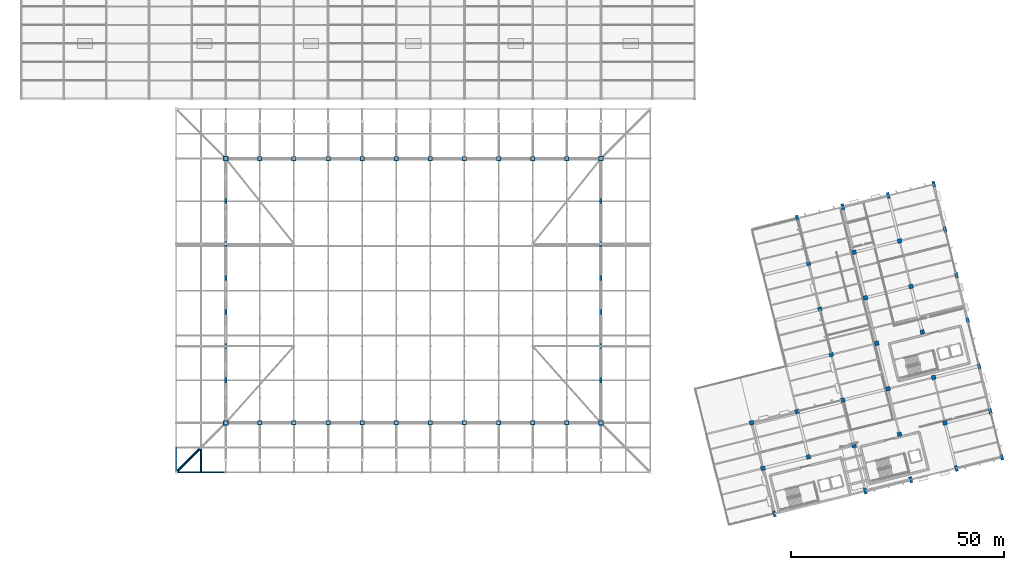
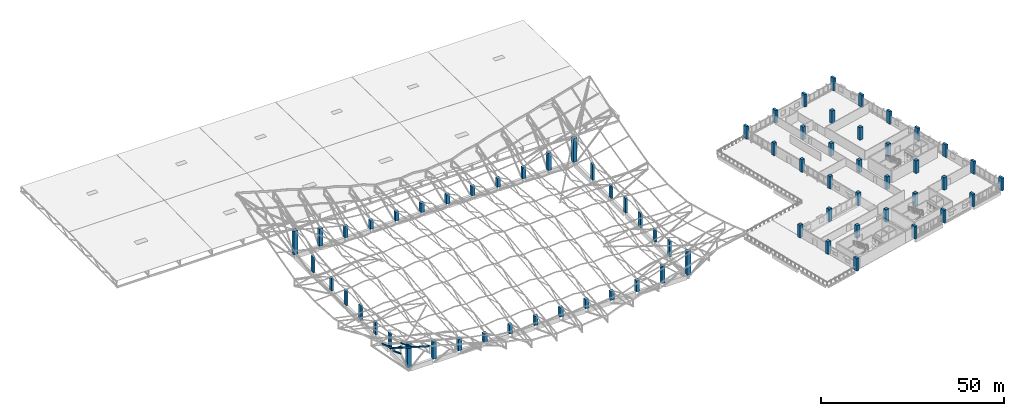
# One storey, part 1 of 75: 69 columns, 3 beams, 3 members.
"""IFC4 building model written with IfcOpenShell, lengths in metres."""

from ifc_helpers import new_model, si_unit, direction, frame, origin, origin_2d, place, context, subcontext, project, spatial, rectangle, hollow_rectangle, hollow_circle, extrude, material, material_profile, profile_set, type_object, element, save


model = new_model("IFC4")

# Units and contexts
model_context = context("Model", 3, precision=1e-05, world=origin(), true_north=direction((0.0, 1.0)))
body_context = subcontext(model_context, "Body", "Model", "MODEL_VIEW")
ifc_project = project(units=[si_unit("LENGTHUNIT", "METRE"), si_unit("AREAUNIT", "SQUARE_METRE"), si_unit("VOLUMEUNIT", "CUBIC_METRE"), si_unit("PLANEANGLEUNIT", "RADIAN"), si_unit("MASSUNIT", "GRAM", prefix="KILO")], contexts=[model_context])

# Site, building, storey
site_placement = place(None, origin())
site = spatial("IfcSite", under=ifc_project, at=site_placement, CompositionType="ELEMENT")
building_placement = place(site_placement, origin())
building = spatial("IfcBuilding", under=site, at=building_placement, Name="Khorjan Park Terminus", CompositionType="ELEMENT")
storey_placement = place(building_placement, frame((0.0, 0.0, 16.2)))
storey = spatial("IfcBuildingStorey", under=building, at=storey_placement, Name="L03", CompositionType="ELEMENT", Elevation=16.2)

# Columns
ifc_material_1 = material(Name="Concrete C50/60", Category="concrete")
ifc_material_profile_1 = material_profile(ifc_material_1, rectangle(XDim=0.6, YDim=1.2, at=origin_2d()), Name="RC 600x1200")
ifc_profile_set_1 = profile_set([ifc_material_profile_1], Name="Concrete C50/60")
column_type_1 = type_object("IfcColumnType", Name="COL-BL1200", PredefinedType="COLUMN", material=ifc_profile_set_1)
column_1_placement = place(storey_placement, frame((48.0, 36.0, 0.0), z_axis=(0.0, 0.0, 1.0), x_axis=(1.0, 0.0, 0.0)))
element("IfcColumn", 1, at=column_1_placement, inside=storey, type_object=column_type_1, Name="Structural column C-BL12 (L03 #239)", PredefinedType="COLUMN", context=body_context, shape_type="SweptSolid", body=[
    extrude(rectangle(XDim=0.6, YDim=1.2, at=origin_2d()), origin(), (0.0, 0.0, 1.0), 5.161),
])
column_2_placement = place(storey_placement, frame((48.0, 44.0, 0.0), z_axis=(0.0, 0.0, 1.0), x_axis=(1.0, 0.0, 0.0)))
element("IfcColumn", 2, at=column_2_placement, inside=storey, type_object=column_type_1, Name="Structural column C-BL12 (L03 #244)", PredefinedType="COLUMN", context=body_context, shape_type="SweptSolid", body=[
    extrude(rectangle(XDim=0.6, YDim=1.2, at=origin_2d()), origin(), (0.0, 0.0, 1.0), 4.037),
])
column_3_placement = place(storey_placement, frame((48.0, 52.0, 0.0), z_axis=(0.0, 0.0, 1.0), x_axis=(1.0, 0.0, 0.0)))
element("IfcColumn", 3, at=column_3_placement, inside=storey, type_object=column_type_1, Name="Structural column C-BL12 (L03 #249)", PredefinedType="COLUMN", context=body_context, shape_type="SweptSolid", body=[
    extrude(rectangle(XDim=0.6, YDim=1.2, at=origin_2d()), origin(), (0.0, 0.0, 1.0), 4.69),
])
column_4_placement = place(storey_placement, frame((48.0, 60.0, 0.0), z_axis=(0.0, 0.0, 1.0), x_axis=(1.0, 0.0, 0.0)))
element("IfcColumn", 4, at=column_4_placement, inside=storey, type_object=column_type_1, Name="Structural column C-BL12 (L03 #254)", PredefinedType="COLUMN", context=body_context, shape_type="SweptSolid", body=[
    extrude(rectangle(XDim=0.6, YDim=1.2, at=origin_2d()), origin(), (0.0, 0.0, 1.0), 4.853),
])
column_5_placement = place(storey_placement, frame((48.0, 68.0, 0.0), z_axis=(0.0, 0.0, 1.0), x_axis=(1.0, 0.0, 0.0)))
element("IfcColumn", 5, at=column_5_placement, inside=storey, type_object=column_type_1, Name="Structural column C-BL12 (L03 #259)", PredefinedType="COLUMN", context=body_context, shape_type="SweptSolid", body=[
    extrude(rectangle(XDim=0.6, YDim=1.2, at=origin_2d()), origin(), (0.0, 0.0, 1.0), 4.2),
])
for number, where, z_axis, x_axis, name in (
    (6, (48.0, 78.0, 0.0), (0.0, 0.0, 1.0), (1.0, 0.0, 0.0), "Structural column C-BL12 (L03 #264)"),
    (7, (136.0, 36.0, 0.0), (0.0, 0.0, 1.0), (1.0, 0.0, 0.0), "Structural column C-BL12 (L03 #475)"),
):
    element("IfcColumn", number, at=place(storey_placement, frame(where, z_axis=z_axis, x_axis=x_axis)), inside=storey, type_object=column_type_1, Name=name, PredefinedType="COLUMN", context=body_context, shape_type="SweptSolid", body=[
        extrude(rectangle(XDim=0.6, YDim=1.2, at=origin_2d()), origin(), (0.0, 0.0, 1.0), 5.161),
    ])
column_6_placement = place(storey_placement, frame((136.0, 44.0, 0.0), z_axis=(0.0, 0.0, 1.0), x_axis=(1.0, 0.0, 0.0)))
element("IfcColumn", 8, at=column_6_placement, inside=storey, type_object=column_type_1, Name="Structural column C-BL12 (L03 #480)", PredefinedType="COLUMN", context=body_context, shape_type="SweptSolid", body=[
    extrude(rectangle(XDim=0.6, YDim=1.2, at=origin_2d()), origin(), (0.0, 0.0, 1.0), 4.037),
])
column_7_placement = place(storey_placement, frame((136.0, 52.0, 0.0), z_axis=(0.0, 0.0, 1.0), x_axis=(1.0, 0.0, 0.0)))
element("IfcColumn", 9, at=column_7_placement, inside=storey, type_object=column_type_1, Name="Structural column C-BL12 (L03 #485)", PredefinedType="COLUMN", context=body_context, shape_type="SweptSolid", body=[
    extrude(rectangle(XDim=0.6, YDim=1.2, at=origin_2d()), origin(), (0.0, 0.0, 1.0), 4.69),
])
column_8_placement = place(storey_placement, frame((136.0, 60.0, 0.0), z_axis=(0.0, 0.0, 1.0), x_axis=(1.0, 0.0, 0.0)))
element("IfcColumn", 10, at=column_8_placement, inside=storey, type_object=column_type_1, Name="Structural column C-BL12 (L03 #490)", PredefinedType="COLUMN", context=body_context, shape_type="SweptSolid", body=[
    extrude(rectangle(XDim=0.6, YDim=1.2, at=origin_2d()), origin(), (0.0, 0.0, 1.0), 4.853),
])
column_9_placement = place(storey_placement, frame((136.0, 68.0, 0.0), z_axis=(0.0, 0.0, 1.0), x_axis=(1.0, 0.0, 0.0)))
element("IfcColumn", 11, at=column_9_placement, inside=storey, type_object=column_type_1, Name="Structural column C-BL12 (L03 #495)", PredefinedType="COLUMN", context=body_context, shape_type="SweptSolid", body=[
    extrude(rectangle(XDim=0.6, YDim=1.2, at=origin_2d()), origin(), (0.0, 0.0, 1.0), 4.2),
])
column_10_placement = place(storey_placement, frame((136.0, 78.0, 0.0), z_axis=(0.0, 0.0, 1.0), x_axis=(1.0, 0.0, 0.0)))
element("IfcColumn", 12, at=column_10_placement, inside=storey, type_object=column_type_1, Name="Structural column C-BL12 (L03 #500)", PredefinedType="COLUMN", context=body_context, shape_type="SweptSolid", body=[
    extrude(rectangle(XDim=0.6, YDim=1.2, at=origin_2d()), origin(), (0.0, 0.0, 1.0), 5.161),
])
ifc_material_profile_2 = material_profile(ifc_material_1, rectangle(XDim=0.7, YDim=1.4, at=origin_2d()), Name="RC 700x1400")
ifc_profile_set_2 = profile_set([ifc_material_profile_2], Name="Concrete C50/60")
column_type_2 = type_object("IfcColumnType", Name="COL-BL1400E", PredefinedType="COLUMN", material=ifc_profile_set_2)
for number, where, z_axis, x_axis, name in (
    (13, (176.673, 4.661, 0.0), (0.0, 0.0, 1.0), (0.970295726276, 0.2419218956, 0.0), "Structural column C-BL14 (L03 #690)"),
    (14, (198.02, 9.983, 0.0), (0.0, 0.0, 1.0), (0.970295726276, 0.2419218956, 0.0), "Structural column C-BL14 (L03 #753)"),
    (15, (182.053, 74.023, 0.0), (0.0, 0.0, 1.0), (0.970295726276, 0.2419218956, 0.0), "Structural column C-BL14 (L03 #789)"),
    (16, (208.693, 12.645, 0.0), (0.0, 0.0, 1.0), (0.970295726276, 0.2419218956, 0.0), "Structural column C-BL14 (L03 #794)"),
    (17, (192.726, 76.684, 0.0), (0.0, 0.0, 1.0), (0.970295726276, 0.2419218956, 0.0), "Structural column C-BL14 (L03 #835)"),
    (18, (219.366, 15.306, 0.0), (0.0, 0.0, 1.0), (0.970295726276, 0.2419218956, 0.0), "Structural column C-BL14 (L03 #840)"),
    (19, (203.399, 79.345, 0.0), (0.0, 0.0, 1.0), (0.970295726276, 0.2419218956, 0.0), "Structural column C-BL14 (L03 #881)"),
    (20, (230.04, 17.967, 0.0), (0.0, 0.0, 1.0), (0.970295726276, 0.2419218956, 0.0), "Structural column C-BL14 (L03 #886)"),
    (21, (227.378, 28.64, 0.0), (0.0, 0.0, 1.0), (0.970295726276, 0.2419218956, 0.0), "Structural column C-BL14 (L03 #893)"),
    (22, (224.717, 39.313, 0.0), (0.0, 0.0, 1.0), (0.970295726276, 0.2419218956, 0.0), "Structural column C-BL14 (L03 #900)"),
    (23, (222.056, 49.987, 0.0), (0.0, 0.0, 1.0), (0.970295726276, 0.2419218956, 0.0), "Structural column C-BL14 (L03 #907)"),
    (24, (219.395, 60.66, 0.0), (0.0, 0.0, 1.0), (0.970295726276, 0.2419218956, 0.0), "Structural column C-BL14 (L03 #914)"),
    (25, (216.734, 71.333, 0.0), (0.0, 0.0, 1.0), (0.970295726276, 0.2419218956, 0.0), "Structural column C-BL14 (L03 #921)"),
    (26, (214.073, 82.006, 0.0), (0.0, 0.0, 1.0), (0.970295726276, 0.2419218956, 0.0), "Structural column C-BL14 (L03 #927)"),
):
    element("IfcColumn", number, at=place(storey_placement, frame(where, z_axis=z_axis, x_axis=x_axis)), inside=storey, type_object=column_type_2, Name=name, PredefinedType="COLUMN", context=body_context, shape_type="SweptSolid", body=[
        extrude(rectangle(XDim=0.7, YDim=1.4, at=origin_2d()), origin(), (0.0, 0.0, 1.0), 4.2),
    ])
ifc_material_profile_3 = material_profile(ifc_material_1, rectangle(XDim=1.0, YDim=1.0, at=origin_2d()), Name="RC 1000x1000")
ifc_profile_set_3 = profile_set([ifc_material_profile_3], Name="Concrete C50/60")
column_type_3 = type_object("IfcColumnType", Name="COL-RC1000", PredefinedType="COLUMN", material=ifc_profile_set_3)
for number, where, z_axis, x_axis, name in (
    (27, (174.012, 15.334, 0.0), (0.0, 0.0, 1.0), (0.970295726276, 0.2419218956, 0.0), "Structural column C-RC10 (L03 #697)"),
    (28, (171.351, 26.008, 0.0), (0.0, 0.0, 1.0), (0.970295726276, 0.2419218956, 0.0), "Structural column C-RC10 (L03 #704)"),
    (29, (184.685, 17.995, 0.0), (0.0, 0.0, 1.0), (0.970295726276, 0.2419218956, 0.0), "Structural column C-RC10 (L03 #723)"),
    (30, (182.024, 28.669, 0.0), (0.0, 0.0, 1.0), (0.970295726276, 0.2419218956, 0.0), "Structural column C-RC10 (L03 #730)"),
    (31, (195.359, 20.657, 0.0), (0.0, 0.0, 1.0), (0.970295726276, 0.2419218956, 0.0), "Structural column C-RC10 (L03 #760)"),
    (32, (192.697, 31.33, 0.0), (0.0, 0.0, 1.0), (0.970295726276, 0.2419218956, 0.0), "Structural column C-RC10 (L03 #767)"),
    (33, (206.032, 23.318, 0.0), (0.0, 0.0, 1.0), (0.970295726276, 0.2419218956, 0.0), "Structural column C-RC10 (L03 #801)"),
    (34, (203.371, 33.991, 0.0), (0.0, 0.0, 1.0), (0.970295726276, 0.2419218956, 0.0), "Structural column C-RC10 (L03 #808)"),
    (35, (200.71, 44.664, 0.0), (0.0, 0.0, 1.0), (0.970295726276, 0.2419218956, 0.0), "Structural column C-RC10 (L03 #815)"),
    (36, (198.048, 55.338, 0.0), (0.0, 0.0, 1.0), (0.970295726276, 0.2419218956, 0.0), "Structural column C-RC10 (L03 #822)"),
    (37, (195.387, 66.011, 0.0), (0.0, 0.0, 1.0), (0.970295726276, 0.2419218956, 0.0), "Structural column C-RC10 (L03 #829)"),
    (38, (216.705, 25.979, 0.0), (0.0, 0.0, 1.0), (0.970295726276, 0.2419218956, 0.0), "Structural column C-RC10 (L03 #847)"),
    (39, (214.044, 36.652, 0.0), (0.0, 0.0, 1.0), (0.970295726276, 0.2419218956, 0.0), "Structural column C-RC10 (L03 #854)"),
    (40, (211.383, 47.325, 0.0), (0.0, 0.0, 1.0), (0.970295726276, 0.2419218956, 0.0), "Structural column C-RC10 (L03 #861)"),
    (41, (208.722, 57.999, 0.0), (0.0, 0.0, 1.0), (0.970295726276, 0.2419218956, 0.0), "Structural column C-RC10 (L03 #868)"),
    (42, (206.061, 68.672, 0.0), (0.0, 0.0, 1.0), (0.970295726276, 0.2419218956, 0.0), "Structural column C-RC10 (L03 #875)"),
):
    element("IfcColumn", number, at=place(storey_placement, frame(where, z_axis=z_axis, x_axis=x_axis)), inside=storey, type_object=column_type_3, Name=name, PredefinedType="COLUMN", context=body_context, shape_type="SweptSolid", body=[
        extrude(rectangle(XDim=1.0, YDim=1.0, at=origin_2d()), origin(), (0.0, 0.0, 1.0), 4.2),
    ])
ifc_material_profile_4 = material_profile(ifc_material_1, rectangle(XDim=1.05, YDim=1.05, at=origin_2d()), Name="RC 1050x1050")
ifc_profile_set_4 = profile_set([ifc_material_profile_4], Name="Concrete C50/60")
column_type_4 = type_object("IfcColumnType", Name="COL-RC1050", PredefinedType="COLUMN", material=ifc_profile_set_4)
for number, where, z_axis, x_axis, name in (
    (43, (56.0, 26.0, 0.0), (0.0, 0.0, 1.0), (1.0, 0.0, 0.0), "Structural column C-RC105 (L03 #274)"),
    (44, (56.0, 88.0, 0.0), (0.0, 0.0, 1.0), (1.0, 0.0, 0.0), "Structural column C-RC105 (L03 #284)"),
):
    element("IfcColumn", number, at=place(storey_placement, frame(where, z_axis=z_axis, x_axis=x_axis)), inside=storey, type_object=column_type_4, Name=name, PredefinedType="COLUMN", context=body_context, shape_type="SweptSolid", body=[
        extrude(rectangle(XDim=1.05, YDim=1.05, at=origin_2d()), origin(), (0.0, 0.0, 1.0), 5.741),
    ])
for number, where, z_axis, x_axis, name in (
    (45, (64.0, 26.0, 0.0), (0.0, 0.0, 1.0), (1.0, 0.0, 0.0), "Structural column C-RC105 (L03 #289)"),
    (46, (64.0, 88.0, 0.0), (0.0, 0.0, 1.0), (1.0, 0.0, 0.0), "Structural column C-RC105 (L03 #307)"),
):
    element("IfcColumn", number, at=place(storey_placement, frame(where, z_axis=z_axis, x_axis=x_axis)), inside=storey, type_object=column_type_4, Name=name, PredefinedType="COLUMN", context=body_context, shape_type="SweptSolid", body=[
        extrude(rectangle(XDim=1.05, YDim=1.05, at=origin_2d()), origin(), (0.0, 0.0, 1.0), 3.696),
    ])
for number, where, z_axis, x_axis, name in (
    (47, (72.0, 26.0, 0.0), (0.0, 0.0, 1.0), (1.0, 0.0, 0.0), "Structural column C-RC105 (L03 #312)"),
    (48, (72.0, 88.0, 0.0), (0.0, 0.0, 1.0), (1.0, 0.0, 0.0), "Structural column C-RC105 (L03 #323)"),
):
    element("IfcColumn", number, at=place(storey_placement, frame(where, z_axis=z_axis, x_axis=x_axis)), inside=storey, type_object=column_type_4, Name=name, PredefinedType="COLUMN", context=body_context, shape_type="SweptSolid", body=[
        extrude(rectangle(XDim=1.05, YDim=1.05, at=origin_2d()), origin(), (0.0, 0.0, 1.0), 2.853),
    ])
for number, where, z_axis, x_axis, name in (
    (49, (80.0, 26.0, 0.0), (0.0, 0.0, 1.0), (1.0, 0.0, 0.0), "Structural column C-RC105 (L03 #328)"),
    (50, (80.0, 88.0, 0.0), (0.0, 0.0, 1.0), (1.0, 0.0, 0.0), "Structural column C-RC105 (L03 #344)"),
):
    element("IfcColumn", number, at=place(storey_placement, frame(where, z_axis=z_axis, x_axis=x_axis)), inside=storey, type_object=column_type_4, Name=name, PredefinedType="COLUMN", context=body_context, shape_type="SweptSolid", body=[
        extrude(rectangle(XDim=1.05, YDim=1.05, at=origin_2d()), origin(), (0.0, 0.0, 1.0), 2.948),
    ])
for number, where, z_axis, x_axis, name in (
    (51, (88.0, 26.0, 0.0), (0.0, 0.0, 1.0), (1.0, 0.0, 0.0), "Structural column C-RC105 (L03 #349)"),
    (52, (88.0, 88.0, 0.0), (0.0, 0.0, 1.0), (1.0, 0.0, 0.0), "Structural column C-RC105 (L03 #360)"),
    (53, (96.0, 26.0, 0.0), (0.0, 0.0, 1.0), (1.0, 0.0, 0.0), "Structural column C-RC105 (L03 #365)"),
    (54, (96.0, 88.0, 0.0), (0.0, 0.0, 1.0), (1.0, 0.0, 0.0), "Structural column C-RC105 (L03 #381)"),
):
    element("IfcColumn", number, at=place(storey_placement, frame(where, z_axis=z_axis, x_axis=x_axis)), inside=storey, type_object=column_type_4, Name=name, PredefinedType="COLUMN", context=body_context, shape_type="SweptSolid", body=[
        extrude(rectangle(XDim=1.05, YDim=1.05, at=origin_2d()), origin(), (0.0, 0.0, 1.0), 3.043),
    ])
for number, where, z_axis, x_axis, name in (
    (55, (104.0, 26.0, 0.0), (0.0, 0.0, 1.0), (1.0, 0.0, 0.0), "Structural column C-RC105 (L03 #386)"),
    (56, (104.0, 88.0, 0.0), (0.0, 0.0, 1.0), (1.0, 0.0, 0.0), "Structural column C-RC105 (L03 #397)"),
):
    element("IfcColumn", number, at=place(storey_placement, frame(where, z_axis=z_axis, x_axis=x_axis)), inside=storey, type_object=column_type_4, Name=name, PredefinedType="COLUMN", context=body_context, shape_type="SweptSolid", body=[
        extrude(rectangle(XDim=1.05, YDim=1.05, at=origin_2d()), origin(), (0.0, 0.0, 1.0), 2.948),
    ])
for number, where, z_axis, x_axis, name in (
    (57, (112.0, 26.0, 0.0), (0.0, 0.0, 1.0), (1.0, 0.0, 0.0), "Structural column C-RC105 (L03 #402)"),
    (58, (112.0, 88.0, 0.0), (0.0, 0.0, 1.0), (1.0, 0.0, 0.0), "Structural column C-RC105 (L03 #425)"),
):
    element("IfcColumn", number, at=place(storey_placement, frame(where, z_axis=z_axis, x_axis=x_axis)), inside=storey, type_object=column_type_4, Name=name, PredefinedType="COLUMN", context=body_context, shape_type="SweptSolid", body=[
        extrude(rectangle(XDim=1.05, YDim=1.05, at=origin_2d()), origin(), (0.0, 0.0, 1.0), 2.853),
    ])
for number, where, z_axis, x_axis, name in (
    (59, (120.0, 26.0, 0.0), (0.0, 0.0, 1.0), (1.0, 0.0, 0.0), "Structural column C-RC105 (L03 #430)"),
    (60, (120.0, 88.0, 0.0), (0.0, 0.0, 1.0), (1.0, 0.0, 0.0), "Structural column C-RC105 (L03 #440)"),
):
    element("IfcColumn", number, at=place(storey_placement, frame(where, z_axis=z_axis, x_axis=x_axis)), inside=storey, type_object=column_type_4, Name=name, PredefinedType="COLUMN", context=body_context, shape_type="SweptSolid", body=[
        extrude(rectangle(XDim=1.05, YDim=1.05, at=origin_2d()), origin(), (0.0, 0.0, 1.0), 3.696),
    ])
for number, where, z_axis, x_axis, name in (
    (61, (128.0, 26.0, 0.0), (0.0, 0.0, 1.0), (1.0, 0.0, 0.0), "Structural column C-RC105 (L03 #445)"),
    (62, (128.0, 88.0, 0.0), (0.0, 0.0, 1.0), (1.0, 0.0, 0.0), "Structural column C-RC105 (L03 #465)"),
):
    element("IfcColumn", number, at=place(storey_placement, frame(where, z_axis=z_axis, x_axis=x_axis)), inside=storey, type_object=column_type_4, Name=name, PredefinedType="COLUMN", context=body_context, shape_type="SweptSolid", body=[
        extrude(rectangle(XDim=1.05, YDim=1.05, at=origin_2d()), origin(), (0.0, 0.0, 1.0), 5.741),
    ])
ifc_material_profile_5 = material_profile(ifc_material_1, rectangle(XDim=1.2, YDim=1.2, at=origin_2d()), Name="RC 1200x1200")
ifc_profile_set_5 = profile_set([ifc_material_profile_5], Name="Concrete C50/60")
column_type_5 = type_object("IfcColumnType", Name="COL-RC1200", PredefinedType="COLUMN", material=ifc_profile_set_5)
for number, where, z_axis, x_axis, name in (
    (63, (48.0, 26.0, 0.0), (0.0, 0.0, 1.0), (1.0, 0.0, 0.0), "Structural column C-RC12 (L03 #234)"),
    (64, (48.0, 88.0, 0.0), (0.0, 0.0, 1.0), (1.0, 0.0, 0.0), "Structural column C-RC12 (L03 #269)"),
    (65, (136.0, 26.0, 0.0), (0.0, 0.0, 1.0), (1.0, 0.0, 0.0), "Structural column C-RC12 (L03 #470)"),
    (66, (136.0, 88.0, 0.0), (0.0, 0.0, 1.0), (1.0, 0.0, 0.0), "Structural column C-RC12 (L03 #505)"),
):
    element("IfcColumn", number, at=place(storey_placement, frame(where, z_axis=z_axis, x_axis=x_axis)), inside=storey, type_object=column_type_5, Name=name, PredefinedType="COLUMN", context=body_context, shape_type="SweptSolid", body=[
        extrude(rectangle(XDim=1.2, YDim=1.2, at=origin_2d()), origin(), (0.0, 0.0, 1.0), 7.82),
    ])
ifc_material_profile_6 = material_profile(ifc_material_1, rectangle(XDim=0.95, YDim=0.95, at=origin_2d()), Name="RC 950x950")
ifc_profile_set_6 = profile_set([ifc_material_profile_6], Name="Concrete C50/60")
column_type_6 = type_object("IfcColumnType", Name="COL-RC950", PredefinedType="COLUMN", material=ifc_profile_set_6)
for number, where, z_axis, x_axis, name in (
    (67, (190.036, 42.003, 0.0), (0.0, 0.0, 1.0), (0.970295726276, 0.2419218956, 0.0), "Structural column C-RC95 (L03 #774)"),
    (68, (187.375, 52.676, 0.0), (0.0, 0.0, 1.0), (0.970295726276, 0.2419218956, 0.0), "Structural column C-RC95 (L03 #779)"),
    (69, (184.714, 63.35, 0.0), (0.0, 0.0, 1.0), (0.970295726276, 0.2419218956, 0.0), "Structural column C-RC95 (L03 #784)"),
):
    element("IfcColumn", number, at=place(storey_placement, frame(where, z_axis=z_axis, x_axis=x_axis)), inside=storey, type_object=column_type_6, Name=name, PredefinedType="COLUMN", context=body_context, shape_type="SweptSolid", body=[
        extrude(rectangle(XDim=0.95, YDim=0.95, at=origin_2d()), origin(), (0.0, 0.0, 1.0), 4.2),
    ])

# Members
ifc_material_2 = material(Name="Steel S355", Category="steel")
ifc_material_profile_7 = material_profile(ifc_material_2, hollow_circle(Radius=0.2032, WallThickness=0.016, at=origin_2d()), Name="CHS 406.4x16")
ifc_profile_set_7 = profile_set([ifc_material_profile_7], Name="Steel S355")
member_type_1 = type_object("IfcMemberType", Name="MB-CHE-406", PredefinedType="CHORD", material=ifc_profile_set_7)
member_1_placement = place(storey_placement, frame((42.2, 14.4, 15.3711), z_axis=(0.0, 0.947051068771, -0.321082969247), x_axis=(-1.0, 0.0, 0.0)))
element("IfcMember", 70, at=member_1_placement, inside=storey, type_object=member_type_1, Name="Upper shell overhang fold purlin TCE-41 (Y1)", PredefinedType="CHORD", context=body_context, shape_type="SweptSolid", body=[
    extrude(hollow_circle(Radius=0.2032, WallThickness=0.016, at=origin_2d()), origin(), (0.0, 0.0, 1.0), 6.1243),
])
ifc_material_profile_8 = material_profile(ifc_material_2, hollow_circle(Radius=0.2285, WallThickness=0.016, at=origin_2d()), Name="CHS 457x16")
ifc_profile_set_8 = profile_set([ifc_material_profile_8], Name="Steel S355")
member_type_2 = type_object("IfcMemberType", Name="MB-CHE-457", PredefinedType="CHORD", material=ifc_profile_set_8)
member_2_placement = place(storey_placement, frame((42.2, 20.2, 12.2047), z_axis=(-0.61849383505, -0.61849383505, 0.48469655663), x_axis=(0.707106781187, -0.707106781187, 0.0)))
element("IfcMember", 71, at=member_2_placement, inside=storey, type_object=member_type_2, Name="Upper shell upturned corner spine truss TCE-46 (SW)", PredefinedType="CHORD", context=body_context, shape_type="SweptSolid", body=[
    extrude(hollow_circle(Radius=0.2285, WallThickness=0.016, at=origin_2d()), origin(), (0.0, 0.0, 1.0), 9.3776),
])
ifc_material_profile_9 = material_profile(ifc_material_2, hollow_circle(Radius=0.2795, WallThickness=0.02, at=origin_2d()), Name="CHS 559x20")
ifc_profile_set_9 = profile_set([ifc_material_profile_9], Name="Steel S355")
member_type_3 = type_object("IfcMemberType", Name="MB-ST-CHS559", PredefinedType="STRUT", material=ifc_profile_set_9)
member_3_placement = place(storey_placement, frame((42.2, 20.2, 9.8047), z_axis=(-0.552704518126, -0.552704518126, 0.623727048705), x_axis=(0.707106781187, -0.707106781187, 0.0)))
element("IfcMember", 72, at=member_3_placement, inside=storey, type_object=member_type_3, Name="Upper shell upturned corner spine truss STE-56 (SW)", PredefinedType="STRUT", context=body_context, shape_type="SweptSolid", body=[
    extrude(hollow_circle(Radius=0.2795, WallThickness=0.02, at=origin_2d()), origin(), (0.0, 0.0, 1.0), 10.4939),
])

# Beams
ifc_material_profile_10 = material_profile(ifc_material_2, hollow_rectangle(XDim=0.3, YDim=0.5, WallThickness=0.016, InnerFilletRadius=0.016, OuterFilletRadius=0.032, at=origin_2d()), Name="RHS 500x300x16")
ifc_profile_set_10 = profile_set([ifc_material_profile_10], Name="Steel S355")
beam_type = type_object("IfcBeamType", Name="SP-RHS500", PredefinedType="SPANDREL", material=ifc_profile_set_10)
for number, where, z_axis, x_axis, name in (
    (73, (36.4, 14.4, 17.12), (0.960566359707, 0.0, -0.278050838157), (0.0, 1.0, 0.0), "Upper folded shell upturned perimeter edge beam SP-R50 (1)"),
    (74, (42.2, 14.4, 15.4411), (0.960561936259, 0.0, -0.278066119134), (0.0, 1.0, 0.0), "Upper folded shell upturned perimeter edge beam SP-R50 (2)"),
):
    element("IfcBeam", number, at=place(storey_placement, frame(where, z_axis=z_axis, x_axis=x_axis)), inside=storey, type_object=beam_type, Name=name, PredefinedType="SPANDREL", context=body_context, shape_type="SweptSolid", body=[
        extrude(hollow_rectangle(XDim=0.3, YDim=0.5, WallThickness=0.016, InnerFilletRadius=0.016, OuterFilletRadius=0.032, at=origin_2d()), origin(), (0.0, 0.0, 1.0), 6.0381),
    ])
beam_placement = place(storey_placement, frame((36.4, 14.4, 17.12), z_axis=(0.0, 0.943975016582, -0.330016920883), x_axis=(-1.0, 0.0, 0.0)))
element("IfcBeam", 75, at=beam_placement, inside=storey, type_object=beam_type, Name="Upper folded shell upturned perimeter edge beam SP-R50 (53)", PredefinedType="SPANDREL", context=body_context, shape_type="SweptSolid", body=[
    extrude(hollow_rectangle(XDim=0.3, YDim=0.5, WallThickness=0.016, InnerFilletRadius=0.016, OuterFilletRadius=0.032, at=origin_2d()), origin(), (0.0, 0.0, 1.0), 6.1442),
])

save(model, "model.ifc")
